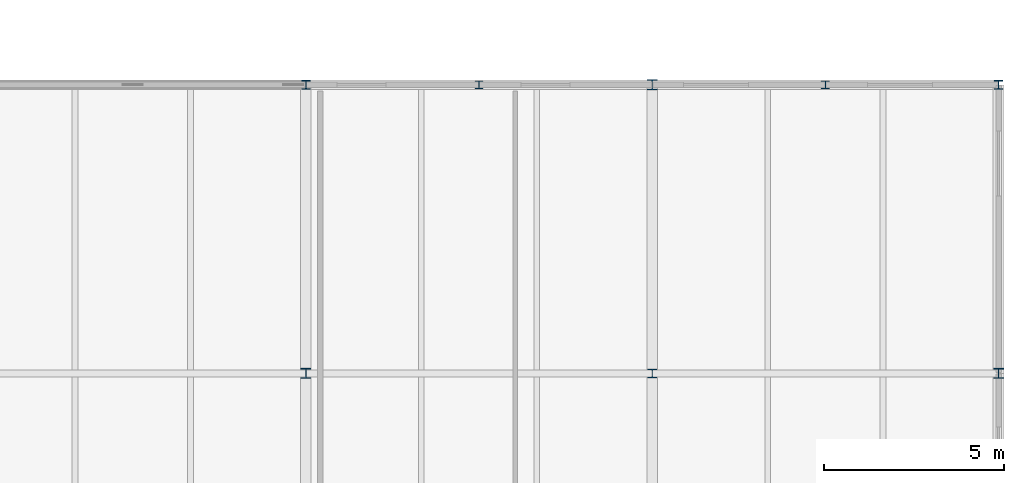
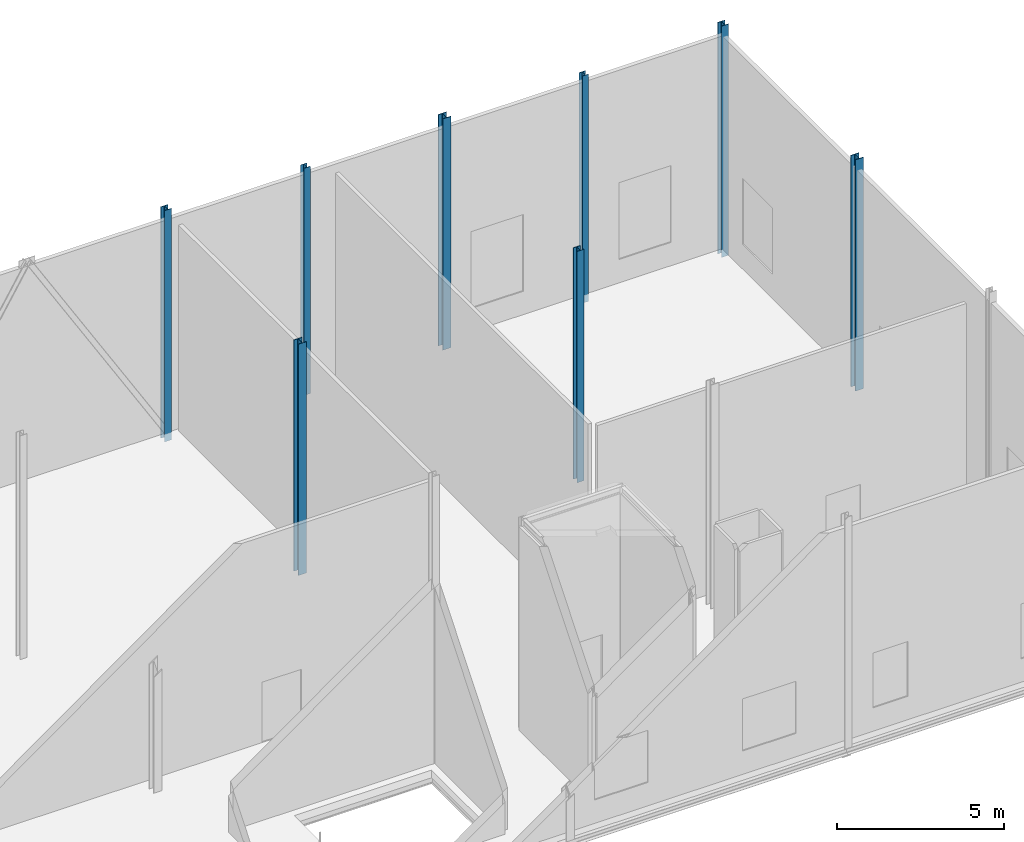
# One storey, part 14 of 73: 8 columns.
"""IFC4 building model written with IfcOpenShell, lengths in metres."""

from ifc_helpers import new_model, si_unit, direction, frame, origin, origin_2d, place, context, subcontext, project, spatial, i_section, extrude, material, material_profile, profile_set, type_object, element, save


model = new_model("IFC4")

# Units and contexts
model_context = context("Model", 3, precision=1e-05, world=origin(), true_north=direction((0.0, 1.0)))
body_context = subcontext(model_context, "Body", "Model", "MODEL_VIEW")
ifc_project = project(units=[si_unit("LENGTHUNIT", "METRE"), si_unit("AREAUNIT", "SQUARE_METRE"), si_unit("VOLUMEUNIT", "CUBIC_METRE"), si_unit("PLANEANGLEUNIT", "RADIAN"), si_unit("MASSUNIT", "GRAM", prefix="KILO")], contexts=[model_context])

# Site, building, storey
site_placement = place(None, origin())
site = spatial("IfcSite", under=ifc_project, at=site_placement, CompositionType="ELEMENT")
building_placement = place(site_placement, origin())
building = spatial("IfcBuilding", under=site, at=building_placement, Name="Alderhovde Museum", CompositionType="ELEMENT")
storey_placement = place(building_placement, frame((0.0, 0.0, 17.39990234375)))
storey = spatial("IfcBuildingStorey", under=building, at=storey_placement, Name="L04", CompositionType="ELEMENT", Elevation=17.39990234375)

# Columns
ifc_material_1 = material(Name="Steel S355J2", Category="steel")
ifc_material_profile_1 = material_profile(ifc_material_1, i_section(OverallWidth=0.239990234375, OverallDepth=0.239990234375, WebThickness=0.010009765625, FlangeThickness=0.01708984375, FilletRadius=0.02099609375, at=origin_2d()), Name="HEB 240")
ifc_profile_set_1 = profile_set([ifc_material_profile_1], Name="Steel S355J2")
column_type_1 = type_object("IfcColumnType", Name="COL-HEB240", PredefinedType="COLUMN", material=ifc_profile_set_1)
for number, where, z_axis, x_axis, name in (
    (1, (134.39990234375, 96.0, -0.27978515625), (0.0, 0.0, 1.0), (1.0, 0.0, 0.0), "L04 Column (134.4, 96.0)"),
    (2, (144.0, 88.0, -0.27978515625), (0.0, 0.0, 1.0), (1.0, 0.0, 0.0), "L04 Column (144.0, 88.0)"),
    (3, (153.60009765625, 96.0, -0.27978515625), (0.0, 0.0, 1.0), (1.0, 0.0, 0.0), "L04 Column (153.6, 96.0)"),
):
    element("IfcColumn", number, at=place(storey_placement, frame(where, z_axis=z_axis, x_axis=x_axis)), inside=storey, type_object=column_type_1, Name=name, PredefinedType="COLUMN", context=body_context, shape_type="SweptSolid", body=[
        extrude(i_section(OverallWidth=0.239990234375, OverallDepth=0.239990234375, WebThickness=0.010009765625, FlangeThickness=0.01708984375, FilletRadius=0.02099609375, at=origin_2d()), origin(), (0.0, 0.0, 1.0), 8.429931640625),
    ])
ifc_material_2 = material(Name="Steel S355J2", Category="steel")
ifc_material_profile_2 = material_profile(ifc_material_2, i_section(OverallWidth=0.280029296875, OverallDepth=0.280029296875, WebThickness=0.010498046875, FlangeThickness=0.01806640625, FilletRadius=0.02392578125, at=origin_2d()), Name="HEB 280")
ifc_profile_set_2 = profile_set([ifc_material_profile_2], Name="Steel S355J2")
column_type_2 = type_object("IfcColumnType", Name="COL-HEB280", PredefinedType="COLUMN", material=ifc_profile_set_2)
for number, where, z_axis, x_axis, name in (
    (4, (134.39990234375, 88.0, -0.27978515625), (0.0, 0.0, 1.0), (1.0, 0.0, 0.0), "L04 Column (134.4, 88.0)"),
    (5, (144.0, 96.0, -0.27978515625), (0.0, 0.0, 1.0), (1.0, 0.0, 0.0), "L04 Column (144.0, 96.0)"),
    (6, (153.60009765625, 88.0, -0.27978515625), (0.0, 0.0, 1.0), (1.0, 0.0, 0.0), "L04 Column (153.6, 88.0)"),
):
    element("IfcColumn", number, at=place(storey_placement, frame(where, z_axis=z_axis, x_axis=x_axis)), inside=storey, type_object=column_type_2, Name=name, PredefinedType="COLUMN", context=body_context, shape_type="SweptSolid", body=[
        extrude(i_section(OverallWidth=0.280029296875, OverallDepth=0.280029296875, WebThickness=0.010498046875, FlangeThickness=0.01806640625, FilletRadius=0.02392578125, at=origin_2d()), origin(), (0.0, 0.0, 1.0), 8.429931640625),
    ])
ifc_material_3 = material(Name="Steel S355J2", Category="steel")
ifc_material_profile_3 = material_profile(ifc_material_3, i_section(OverallWidth=0.219970703125, OverallDepth=0.2099609375, WebThickness=0.007080078125, FlangeThickness=0.010986328125, FilletRadius=0.01806640625, at=origin_2d()), Name="HEA 220")
ifc_profile_set_3 = profile_set([ifc_material_profile_3], Name="Steel S355J2")
column_type_3 = type_object("IfcColumnType", Name="PIL-HEA220", PredefinedType="PILASTER", material=ifc_profile_set_3)
for number, where, z_axis, x_axis, name in (
    (7, (139.199951171875, 96.0, -0.27978515625), (0.0, 0.0, 1.0), (1.0, 0.0, 0.0), "L04 Structural Pilaster (139.2, 96.0)"),
    (8, (148.800048828125, 96.0, -0.27978515625), (0.0, 0.0, 1.0), (1.0, 0.0, 0.0), "L04 Structural Pilaster (148.8, 96.0)"),
):
    element("IfcColumn", number, at=place(storey_placement, frame(where, z_axis=z_axis, x_axis=x_axis)), inside=storey, type_object=column_type_3, Name=name, PredefinedType="PILASTER", context=body_context, shape_type="SweptSolid", body=[
        extrude(i_section(OverallWidth=0.219970703125, OverallDepth=0.2099609375, WebThickness=0.007080078125, FlangeThickness=0.010986328125, FilletRadius=0.01806640625, at=origin_2d()), origin(), (0.0, 0.0, 1.0), 8.27978515625),
    ])

save(model, "model.ifc")
